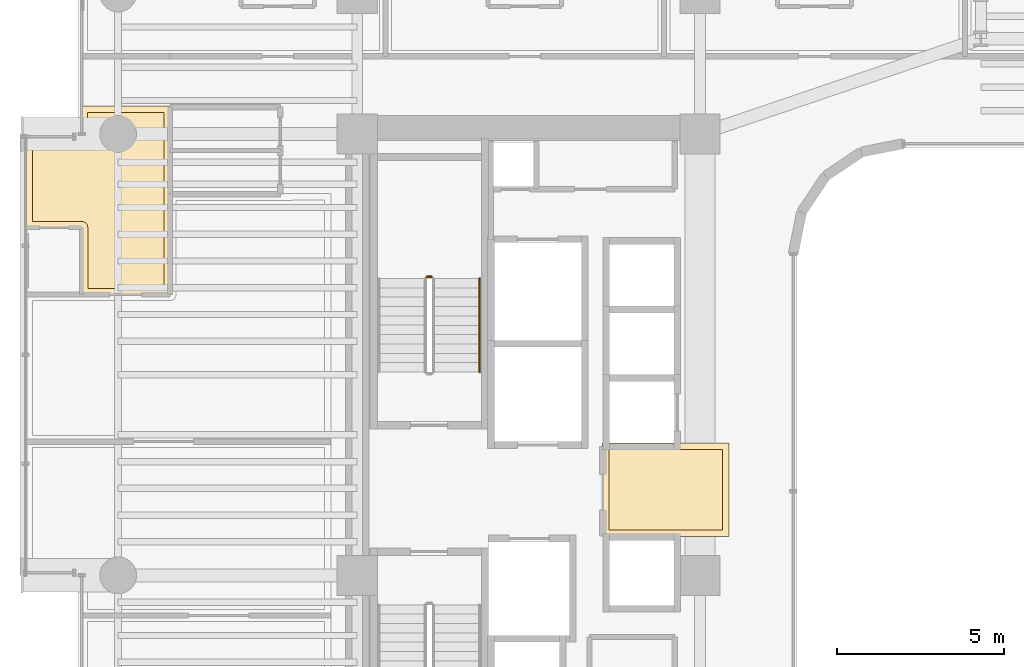
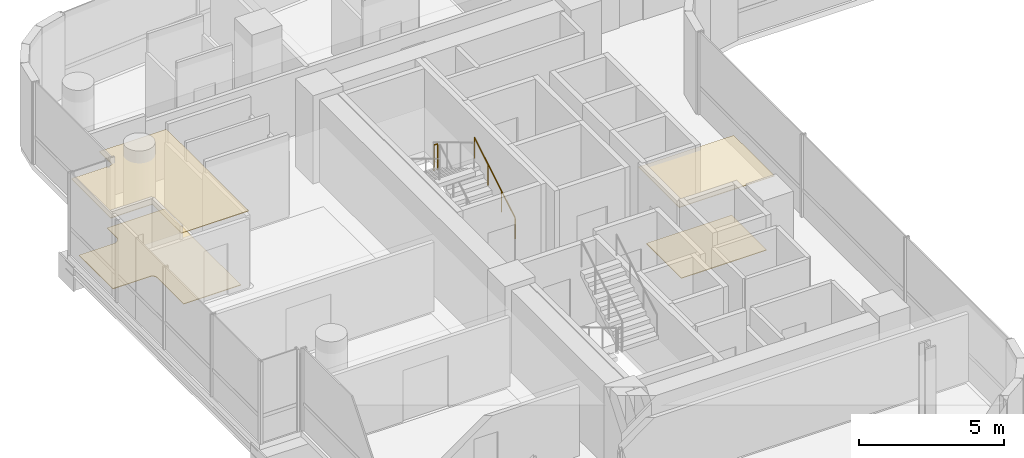
# One storey, part 32 of 35: 4 coverings, 2 railings.
"""IFC4 building model written with IfcOpenShell, lengths in metres."""

from ifc_helpers import new_model, si_unit, direction, frame, origin, origin_2d, place, context, subcontext, project, spatial, polyline, circle, outline, extrude, material, layer, layer_set, type_object, element, save


model = new_model("IFC4")

# Units and contexts
model_context = context("Model", 3, precision=1e-05, world=origin(), true_north=direction((0.0, 1.0)))
body_context = subcontext(model_context, "Body", "Model", "MODEL_VIEW")
ifc_project = project(units=[si_unit("LENGTHUNIT", "METRE"), si_unit("AREAUNIT", "SQUARE_METRE"), si_unit("VOLUMEUNIT", "CUBIC_METRE"), si_unit("PLANEANGLEUNIT", "RADIAN"), si_unit("MASSUNIT", "GRAM", prefix="KILO")], contexts=[model_context])

# Site, building, storey
site_placement = place(None, origin())
site = spatial("IfcSite", under=ifc_project, at=site_placement, CompositionType="ELEMENT")
building_placement = place(site_placement, origin())
building = spatial("IfcBuilding", under=site, at=building_placement, Name="Valdorenza Pilgrim Sanctuary Tower", CompositionType="ELEMENT")
storey_placement = place(building_placement, frame((0.0, 0.0, 113.10009765625)))
storey = spatial("IfcBuildingStorey", under=building, at=storey_placement, Name="L28", CompositionType="ELEMENT", Elevation=113.10009765625)

# Coverings
ifc_material_1 = material(Name="Micro-perforated acoustic mineral ceiling tile", Category="gypsum")
ifc_layer_1 = layer(ifc_material_1, 0.02490234375, Name="Micro-perforated acoustic mineral ceiling tile")
ifc_layer_set_1 = layer_set([ifc_layer_1], Name="Micro-perforated acoustic mineral ceiling tile")
covering_type_1 = type_object("IfcCoveringType", Name="COV-CLG-ACU", PredefinedType="CEILING", material=ifc_layer_set_1)
covering_1_placement = place(storey_placement, frame((0.0, 0.0, 3.159912109375)))
element("IfcCovering", 1, at=covering_1_placement, inside=storey, type_object=covering_type_1, Name="L28 Core A Passenger Lift Lobby Acoustic Ceiling", PredefinedType="CEILING", context=body_context, shape_type="SweptSolid", body=[
    extrude(outline(polyline([(-15.31298828125, 1.244384765625), (-15.31298828125, 1.24462890625), (-15.313720703125, 1.24609375), (-15.314208984375, 1.24755859375), (-15.314697265625, 1.2490234375), (-15.31494140625, 1.25048828125), (-15.31494140625, 1.251953125), (-15.31494140625, 1.35009765625), (-15.31494140625, 1.3515625), (-15.314697265625, 1.352783203125), (-15.314453125, 1.3544921875), (-15.31396484375, 1.355712890625), (-15.313232421875, 1.357177734375), (-15.3125, 1.3583984375), (-15.3115234375, 1.359619140625), (-15.310546875, 1.360595703125), (-15.3095703125, 1.361572265625), (-15.308349609375, 1.362548828125), (-15.30712890625, 1.36328125), (-15.3056640625, 1.364013671875), (-15.304443359375, 1.364501953125), (-15.302978515625, 1.36474609375), (-15.301513671875, 1.364990234375), (-15.300048828125, 1.364990234375), (-15.10205078125, 1.364990234375), (-15.1005859375, 1.364990234375), (-15.09912109375, 1.36474609375), (-15.097412109375, 1.3642578125), (-15.09619140625, 1.36376953125), (-15.0947265625, 1.363037109375), (-15.094482421875, 1.363037109375), (-13.185546875, 1.363037109375), (-13.185302734375, 1.363037109375), (-13.183837890625, 1.36376953125), (-13.1826171875, 1.3642578125), (-13.180908203125, 1.36474609375), (-13.179443359375, 1.364990234375), (-13.177978515625, 1.364990234375), (-11.550048828125, 1.364990234375), (-11.548583984375, 1.364990234375), (-11.547119140625, 1.36474609375), (-11.545654296875, 1.364501953125), (-11.544189453125, 1.364013671875), (-11.54296875, 1.36328125), (-11.541748046875, 1.362548828125), (-11.54052734375, 1.361572265625), (-11.539306640625, 1.360595703125), (-11.538330078125, 1.359619140625), (-11.53759765625, 1.3583984375), (-11.536865234375, 1.357177734375), (-11.5361328125, 1.355712890625), (-11.53564453125, 1.3544921875), (-11.535400390625, 1.352783203125), (-11.53515625, 1.3515625), (-11.534912109375, 1.35009765625), (-11.534912109375, -1.419921875), (-11.53515625, -1.42138671875), (-11.535400390625, -1.4228515625), (-11.53564453125, -1.42431640625), (-11.5361328125, -1.42578125), (-11.536865234375, -1.427001953125), (-11.53759765625, -1.42822265625), (-11.538330078125, -1.429443359375), (-11.539306640625, -1.4306640625), (-11.54052734375, -1.431640625), (-11.541748046875, -1.4326171875), (-11.54296875, -1.43310546875), (-11.544189453125, -1.433837890625), (-11.545654296875, -1.434326171875), (-11.547119140625, -1.434814453125), (-11.548583984375, -1.434814453125), (-11.550048828125, -1.43505859375), (-15.298095703125, -1.43505859375), (-15.299560546875, -1.434814453125), (-15.30078125, -1.434814453125), (-15.302490234375, -1.434326171875), (-15.3037109375, -1.433837890625), (-15.30517578125, -1.43310546875), (-15.306396484375, -1.4326171875), (-15.3076171875, -1.431640625), (-15.30859375, -1.4306640625), (-15.3095703125, -1.429443359375), (-15.310546875, -1.42822265625), (-15.311279296875, -1.427001953125), (-15.31201171875, -1.42578125), (-15.3125, -1.42431640625), (-15.312744140625, -1.4228515625), (-15.31298828125, -1.42138671875), (-15.31298828125, -1.419921875), (-15.31298828125, 1.244384765625)])), origin(), (0.0, 0.0, 1.0), 0.02490234375),
])
covering_2_placement = place(storey_placement, frame((0.0, 0.0, 3.159912109375)))
element("IfcCovering", 2, at=covering_2_placement, inside=storey, type_object=covering_type_1, Name="L28 Pilgrim Guest Room L28-CN1 Acoustic Ceiling", PredefinedType="CEILING", context=body_context, shape_type="SweptSolid", body=[
    extrude(outline(polyline([(-30.903076171875, 7.787109375), (-32.5400390625, 7.787109375), (-32.54150390625, 7.787109375), (-32.54296875, 7.787353515625), (-32.54443359375, 7.78759765625), (-32.545654296875, 7.7880859375), (-32.547119140625, 7.788818359375), (-32.54833984375, 7.78955078125), (-32.549560546875, 7.790283203125), (-32.550537109375, 7.79150390625), (-32.551513671875, 7.79248046875), (-32.552490234375, 7.793701171875), (-32.55322265625, 7.794921875), (-32.553955078125, 7.79638671875), (-32.554443359375, 7.797607421875), (-32.5546875, 7.799072265625), (-32.554931640625, 7.800537109375), (-32.554931640625, 7.802001953125), (-32.554931640625, 10.489990234375), (-32.554931640625, 10.491455078125), (-32.5546875, 10.492919921875), (-32.554443359375, 10.494384765625), (-32.553955078125, 10.49560546875), (-32.55322265625, 10.4970703125), (-32.552490234375, 10.498291015625), (-32.551513671875, 10.49951171875), (-32.550537109375, 10.50048828125), (-32.549560546875, 10.501708984375), (-32.54833984375, 10.50244140625), (-32.547119140625, 10.503173828125), (-32.545654296875, 10.50390625), (-32.54443359375, 10.50439453125), (-32.54296875, 10.504638671875), (-32.54150390625, 10.5048828125), (-32.5400390625, 10.5048828125), (-31.00048828125, 10.5048828125), (-30.99072265625, 10.505615234375), (-30.9814453125, 10.5068359375), (-30.972412109375, 10.509033203125), (-30.963623046875, 10.51220703125), (-30.955078125, 10.51611328125), (-30.947265625, 10.52099609375), (-30.939697265625, 10.526611328125), (-30.932861328125, 10.53271484375), (-30.926513671875, 10.539794921875), (-30.9208984375, 10.547119140625), (-30.916259765625, 10.55517578125), (-30.912109375, 10.563720703125), (-30.9091796875, 10.572509765625), (-30.90673828125, 10.58154296875), (-30.905517578125, 10.5908203125), (-30.905029296875, 10.600341796875), (-30.905029296875, 11.419921875), (-30.90478515625, 11.42138671875), (-30.90478515625, 11.4228515625), (-30.904296875, 11.42431640625), (-30.90380859375, 11.42578125), (-30.9033203125, 11.427001953125), (-30.902587890625, 11.42822265625), (-30.901611328125, 11.429443359375), (-30.900634765625, 11.4306640625), (-30.8994140625, 11.431640625), (-30.898193359375, 11.4326171875), (-30.897216796875, 11.43310546875), (-30.895751953125, 11.433837890625), (-30.894287109375, 11.434326171875), (-30.892822265625, 11.434814453125), (-30.8916015625, 11.434814453125), (-30.889892578125, 11.43505859375), (-28.25, 11.43505859375), (-28.24853515625, 11.434814453125), (-28.2470703125, 11.434814453125), (-28.24560546875, 11.434326171875), (-28.244384765625, 11.433837890625), (-28.242919921875, 11.43310546875), (-28.24169921875, 11.4326171875), (-28.240478515625, 11.431640625), (-28.239501953125, 11.4306640625), (-28.23828125, 11.429443359375), (-28.237548828125, 11.42822265625), (-28.23681640625, 11.427001953125), (-28.236083984375, 11.42578125), (-28.235595703125, 11.42431640625), (-28.2353515625, 11.4228515625), (-28.235107421875, 11.42138671875), (-28.235107421875, 11.419921875), (-28.235107421875, 11.402099609375), (-28.235107421875, 11.400390625), (-28.2353515625, 11.39892578125), (-28.235595703125, 11.3974609375), (-28.236083984375, 11.39599609375), (-28.23681640625, 11.394775390625), (-28.237060546875, 11.39453125), (-28.237060546875, 10.103759765625), (-28.23681640625, 10.10302734375), (-28.23681640625, 10.1015625), (-28.23681640625, 10.10009765625), (-28.23681640625, 10.098388671875), (-28.237060546875, 10.09814453125), (-28.237060546875, 8.805419921875), (-28.23681640625, 8.805419921875), (-28.236083984375, 8.803955078125), (-28.235595703125, 8.802490234375), (-28.2353515625, 8.801025390625), (-28.235107421875, 8.799560546875), (-28.235107421875, 8.798095703125), (-28.235107421875, 5.800048828125), (-28.235107421875, 5.798583984375), (-28.2353515625, 5.797119140625), (-28.235595703125, 5.795654296875), (-28.236083984375, 5.794189453125), (-28.23681640625, 5.79296875), (-28.237548828125, 5.791748046875), (-28.23828125, 5.79052734375), (-28.239501953125, 5.789306640625), (-28.240478515625, 5.788330078125), (-28.24169921875, 5.78759765625), (-28.242919921875, 5.786865234375), (-28.244384765625, 5.7861328125), (-28.24560546875, 5.78564453125), (-28.2470703125, 5.785400390625), (-28.24853515625, 5.78515625), (-28.25, 5.784912109375), (-30.887939453125, 5.784912109375), (-30.889404296875, 5.78515625), (-30.890869140625, 5.785400390625), (-30.892333984375, 5.78564453125), (-30.893798828125, 5.7861328125), (-30.89501953125, 5.786865234375), (-30.896240234375, 5.78759765625), (-30.8974609375, 5.788330078125), (-30.898681640625, 5.789306640625), (-30.899658203125, 5.79052734375), (-30.900390625, 5.791748046875), (-30.901123046875, 5.79296875), (-30.90185546875, 5.794189453125), (-30.90234375, 5.795654296875), (-30.902587890625, 5.797119140625), (-30.90283203125, 5.798583984375), (-30.903076171875, 5.800048828125), (-30.903076171875, 7.787109375)])), origin(), (0.0, 0.0, 1.0), 0.02490234375),
])
ifc_material_2 = material(Name="Engineered European oak timber flooring", Category="wood")
ifc_layer_2 = layer(ifc_material_2, 0.02197265625, Name="Engineered European oak timber flooring")
ifc_layer_set_2 = layer_set([ifc_layer_2], Name="Engineered European oak timber flooring")
covering_type_2 = type_object("IfcCoveringType", Name="COV-FLR-OAK", PredefinedType="FLOORING", material=ifc_layer_set_2)
covering_3_placement = place(storey_placement, origin())
element("IfcCovering", 3, at=covering_3_placement, inside=storey, type_object=covering_type_2, Name="L28 Pilgrim Guest Room L28-CN1 Flooring", PredefinedType="FLOORING", context=body_context, shape_type="SweptSolid", body=[
    extrude(outline(polyline([(-28.431884765625, 11.239990234375), (-28.431884765625, 10.10205078125), (-28.431884765625, 10.10107421875), (-28.431884765625, 10.100341796875), (-28.431884765625, 10.10009765625), (-28.431884765625, 8.800048828125), (-28.43017578125, 5.97998046875), (-30.7080078125, 5.97998046875), (-30.7080078125, 7.800048828125), (-30.708251953125, 7.808837890625), (-30.708251953125, 7.80908203125), (-30.7099609375, 7.82666015625), (-30.7099609375, 7.826904296875), (-30.71337890625, 7.843994140625), (-30.71337890625, 7.84423828125), (-30.718505859375, 7.861083984375), (-30.71875, 7.861328125), (-30.725341796875, 7.877685546875), (-30.7255859375, 7.8779296875), (-30.73388671875, 7.8935546875), (-30.73388671875, 7.8935546875), (-30.743896484375, 7.908203125), (-30.743896484375, 7.908447265625), (-30.755126953125, 7.922119140625), (-30.755126953125, 7.92236328125), (-30.767578125, 7.934814453125), (-30.767822265625, 7.934814453125), (-30.781494140625, 7.946044921875), (-30.78173828125, 7.9462890625), (-30.79638671875, 7.9560546875), (-30.79638671875, 7.956298828125), (-30.81201171875, 7.964599609375), (-30.812255859375, 7.964599609375), (-30.82861328125, 7.97119140625), (-30.828857421875, 7.971435546875), (-30.845703125, 7.9765625), (-30.845947265625, 7.9765625), (-30.86328125, 7.97998046875), (-30.86328125, 7.97998046875), (-30.881103515625, 7.981689453125), (-30.881103515625, 7.981689453125), (-30.889892578125, 7.98193359375), (-32.360107421875, 7.98193359375), (-32.360107421875, 10.31005859375), (-31.0, 10.31005859375), (-30.9912109375, 10.310302734375), (-30.98046875, 10.310791015625), (-30.962890625, 10.3125), (-30.9521484375, 10.314208984375), (-30.934814453125, 10.3173828125), (-30.92431640625, 10.320068359375), (-30.907470703125, 10.3251953125), (-30.897216796875, 10.328857421875), (-30.880859375, 10.335693359375), (-30.87109375, 10.34033203125), (-30.855712890625, 10.3486328125), (-30.84619140625, 10.35400390625), (-30.831787109375, 10.364013671875), (-30.822998046875, 10.370361328125), (-30.809326171875, 10.381591796875), (-30.80126953125, 10.388916015625), (-30.788818359375, 10.4013671875), (-30.781494140625, 10.4091796875), (-30.7705078125, 10.423095703125), (-30.763916015625, 10.431640625), (-30.754150390625, 10.4462890625), (-30.74853515625, 10.45556640625), (-30.740234375, 10.47119140625), (-30.735595703125, 10.48095703125), (-30.72900390625, 10.497314453125), (-30.725341796875, 10.50732421875), (-30.72021484375, 10.5244140625), (-30.717529296875, 10.534912109375), (-30.714111328125, 10.552001953125), (-30.71240234375, 10.562744140625), (-30.710693359375, 10.580322265625), (-30.710205078125, 10.59130859375), (-30.7099609375, 10.60009765625), (-30.7099609375, 11.239990234375), (-28.431884765625, 11.239990234375)])), origin(), (0.0, 0.0, 1.0), 0.02490234375),
])
ifc_material_3 = material(Name="Honed travertine stone flooring", Category="masonry")
ifc_layer_3 = layer(ifc_material_3, 0.030029296875, Name="Honed travertine stone flooring")
ifc_layer_set_3 = layer_set([ifc_layer_3], Name="Honed travertine stone flooring")
covering_type_3 = type_object("IfcCoveringType", Name="COV-FLR-TRV", PredefinedType="FLOORING", material=ifc_layer_set_3)
covering_4_placement = place(storey_placement, origin())
element("IfcCovering", 4, at=covering_4_placement, inside=storey, type_object=covering_type_3, Name="L28 Core A Passenger Lift Lobby Flooring", PredefinedType="FLOORING", context=body_context, shape_type="SweptSolid", body=[
    extrude(outline(polyline([(-15.117919921875, 1.169189453125), (-15.10888671875, 1.168212890625), (-15.10888671875, 1.168212890625), (-15.10009765625, 1.16796875), (-13.179931640625, 1.16796875), (-13.1796875, 1.16796875), (-11.72998046875, 1.169921875), (-11.72998046875, -1.239990234375), (-15.117919921875, -1.239990234375), (-15.117919921875, 1.169189453125)])), origin(), (0.0, 0.0, 1.0), 0.02490234375),
])

# Railings
ifc_material_4 = material(Name="Stainless steel Grade 316", Category="steel")
railing_type_1 = type_object("IfcRailingType", Name="RLG-GRD-1120", PredefinedType="GUARDRAIL", material=ifc_material_4)
railing_1_placement = place(storey_placement, frame((-20.419921875, 6.330078125, 1.849853515625)))
element("IfcRailing", 5, at=railing_1_placement, inside=storey, type_object=railing_type_1, Name="L28 ST-A1 stair guard 2", PredefinedType="GUARDRAIL", context=body_context, shape_type="SweptSolid", body=[
    extrude(circle(Radius=0.02392578125, at=origin_2d()), frame((0.0, 0.0, 1.076171875), z_axis=(-1.0, 0.0, 0.0), x_axis=(0.0, -1.0, 0.0)), (0.0, 0.0, 1.0), 0.150146484375),
    extrude(circle(Radius=0.02099609375, at=origin_2d()), origin(), (0.0, 0.0, 1.0), 1.052001953125),
    extrude(circle(Radius=0.02099609375, at=origin_2d()), frame((-0.150146484375, 0.0, 0.0)), (0.0, 0.0, 1.0), 1.052001953125),
])
ifc_material_5 = material(Name="Brushed stainless steel Grade 316", Category="steel")
railing_type_2 = type_object("IfcRailingType", Name="RLG-HND-920", PredefinedType="HANDRAIL", material=ifc_material_5)
railing_2_placement = place(storey_placement, frame((-18.989990234375, 3.47998046875, 0.16796875)))
element("IfcRailing", 6, at=railing_2_placement, inside=storey, type_object=railing_type_2, Name="L28 ST-A1 stair handrail 1", PredefinedType="HANDRAIL", context=body_context, shape_type="SweptSolid", body=[
    extrude(circle(Radius=0.02392578125, at=origin_2d()), frame((0.0, 0.0, 0.8759765625), z_axis=(0.0, 0.857242210791, 0.514913383045), x_axis=(-1.0, 0.0, 0.0)), (0.0, 0.0, 1.0), 3.266357421875),
    extrude(circle(Radius=0.02099609375, at=origin_2d()), origin(), (0.0, 0.0, 1.0), 0.851806640625),
    extrude(circle(Radius=0.02099609375, at=origin_2d()), frame((0.0, 0.933349609375, 0.560546875)), (0.0, 0.0, 1.0), 0.851806640625),
    extrude(circle(Radius=0.02099609375, at=origin_2d()), frame((0.0, 1.86669921875, 1.121337890625)), (0.0, 0.0, 1.0), 0.851806640625),
    extrude(circle(Radius=0.02099609375, at=origin_2d()), frame((0.0, 2.800048828125, 1.681884765625)), (0.0, 0.0, 1.0), 0.851806640625),
])

save(model, "model.ifc")
